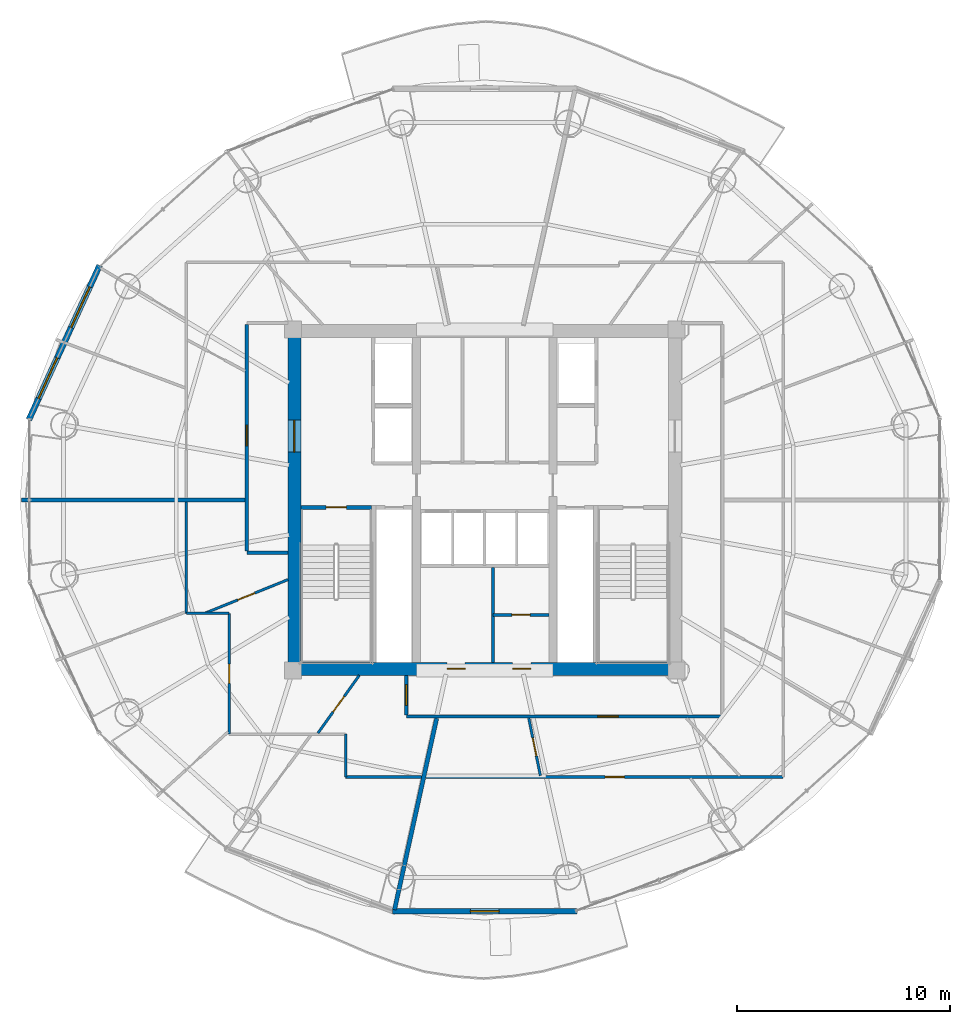
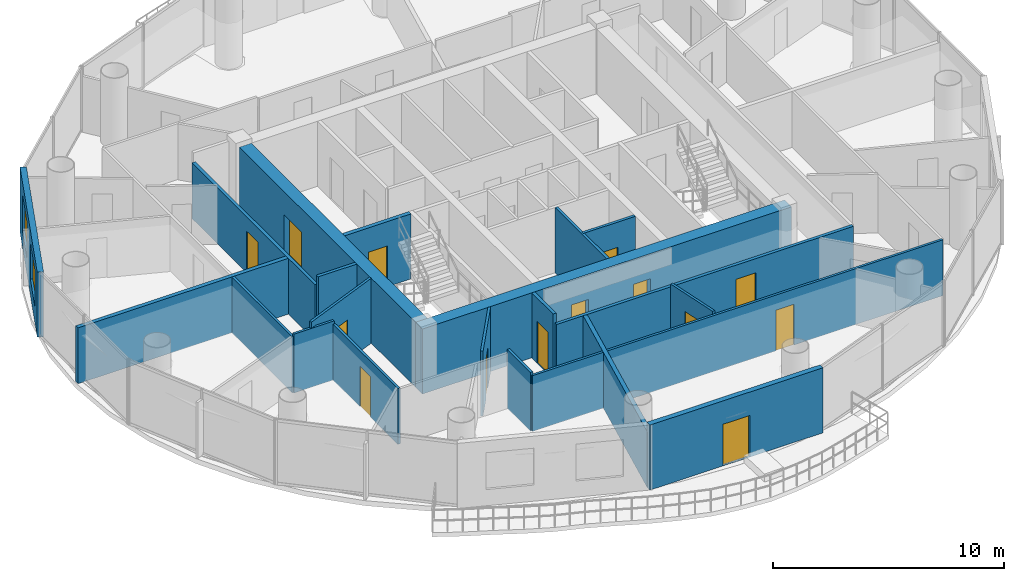
# One storey, part 20 of 26: 22 walls, 14 doors, 2 windows, 16 openings.
"""IFC4 building model written with IfcOpenShell, lengths in metres."""

from ifc_helpers import new_model, si_unit, direction, frame, frame_2d, origin, place, context, subcontext, project, spatial, rectangle, extrude, source, transform, mapped, material, layer, layer_set, type_object, element, fill, save


model = new_model("IFC4")

# Units and contexts
model_context = context("Model", 3, precision=1e-05, world=origin(), true_north=direction((-0.2419218956, 0.970295726276)))
body_context = subcontext(model_context, "Body", "Model", "MODEL_VIEW")
ifc_project = project(units=[si_unit("LENGTHUNIT", "METRE"), si_unit("AREAUNIT", "SQUARE_METRE"), si_unit("VOLUMEUNIT", "CUBIC_METRE"), si_unit("PLANEANGLEUNIT", "RADIAN"), si_unit("MASSUNIT", "GRAM", prefix="KILO")], contexts=[model_context])

# Site, building, storey
site_placement = place(None, origin())
site = spatial("IfcSite", under=ifc_project, at=site_placement, CompositionType="ELEMENT")
building_placement = place(site_placement, origin())
building = spatial("IfcBuilding", under=site, at=building_placement, Name="Cobrevalo Terracotta Tower", CompositionType="ELEMENT")
storey_placement = place(building_placement, frame((0.0, 0.0, 220.800048828125)))
storey = spatial("IfcBuildingStorey", under=building, at=storey_placement, Name="L58", CompositionType="ELEMENT", Elevation=220.800048828125)

# Wall, openings, doors
ifc_material_1 = material(Name="Concrete C55", Category="concrete")
ifc_layer_1 = layer(ifc_material_1, 0.60009765625)
ifc_layer_set_1 = layer_set([ifc_layer_1], Name="Concrete C55")
wall_type_1 = type_object("IfcWallType", Name="Core shear wall 600 mm Concrete C55", PredefinedType="SHEAR", material=ifc_layer_set_1)
wall_1_placement = place(storey_placement, frame((28.77490234375, 18.875, 0.0), z_axis=(0.0, 0.0, 1.0), x_axis=(1.0, 0.0, 0.0)))
wall_1 = element("IfcWall", 1, at=wall_1_placement, inside=storey, type_object=wall_type_1, Name="L58 south core shear wall", PredefinedType="SHEAR", context=body_context, shape_type="SweptSolid", body=[
    extrude(rectangle(XDim=18.4501953125, YDim=0.60009765625, at=frame_2d((9.22509765625, 0.0))), origin(), (0.0, 0.0, 1.0), 3.43505859375),
])
opening_1_placement = place(wall_1_placement, frame((7.4599609375, 0.0, 0.0)))
opening_1 = element("IfcOpeningElement", 2, at=opening_1_placement, cuts=wall_1, Name="Opening ID-22", PredefinedType="OPENING", context=body_context, shape_type="SweptSolid", body=[
    extrude(rectangle(XDim=0.85009765625, YDim=2.10009765625, at=frame_2d((0.425048828125, 1.050048828125))), frame((0.0, 0.31005859375, 0.0), z_axis=(0.0, -1.0, 0.0), x_axis=(1.0, 0.0, 0.0)), (0.0, 0.0, 1.0), 0.6201171875),
])
opening_2_placement = place(wall_1_placement, frame((10.5400390625, 0.0, 0.0)))
opening_2 = element("IfcOpeningElement", 3, at=opening_2_placement, cuts=wall_1, Name="Opening ID-22", PredefinedType="OPENING", context=body_context, shape_type="SweptSolid", body=[
    extrude(rectangle(XDim=0.85009765625, YDim=2.10009765625, at=frame_2d((0.425048828125, 1.050048828125))), frame((0.0, 0.31005859375, 0.0), z_axis=(0.0, -1.0, 0.0), x_axis=(1.0, 0.0, 0.0)), (0.0, 0.0, 1.0), 0.6201171875),
])
ifc_material_2 = material(Name="Powder-coated steel", Category="steel")
door_type_1 = type_object("IfcDoorType", Name="Riser shaft & meter closet fire access door 850x2100 EI 60", OperationType="NOTDEFINED", PredefinedType="DOOR", material=ifc_material_2)
shared_shape_1 = source(origin(), body_context, "Body", "SweptSolid", [
    extrude(rectangle(XDim=0.85009765625, YDim=2.10009765625, at=frame_2d((0.425048828125, 1.050048828125))), frame((0.0, 0.02490234375, 0.0), z_axis=(0.0, -1.0, 0.0), x_axis=(1.0, 0.0, 0.0)), (0.0, 0.0, 1.0), 0.050048828125),
])
door_1_placement = place(opening_1_placement, origin())
door_1 = element("IfcDoor", 4, at=door_1_placement, inside=storey, type_object=door_type_1, Name="L58 core south plant door Floor AHU Mechanical Plant", OperationType="SINGLE_SWING_RIGHT", OverallHeight=2.10009765625, OverallWidth=0.85009765625, PredefinedType="DOOR", context=body_context, shape_type="MappedRepresentation", body=[
    mapped(shared_shape_1, transform((0.0, 0.0, 0.0), scale=1.0)),
])
fill(opening_1, door_1)
door_2_placement = place(opening_2_placement, origin())
door_2 = element("IfcDoor", 5, at=door_2_placement, inside=storey, type_object=door_type_1, Name="L58 core south plant door Sprinkler Valve Plant", OperationType="SINGLE_SWING_RIGHT", OverallHeight=2.10009765625, OverallWidth=0.85009765625, PredefinedType="DOOR", context=body_context, shape_type="MappedRepresentation", body=[
    mapped(shared_shape_1, transform((0.0, 0.0, 0.0), scale=1.0)),
])
fill(opening_2, door_2)

# Wall, opening, door
wall_2_placement = place(storey_placement, frame((29.074951171875, 19.175048828125, 0.0), z_axis=(0.0, 0.0, 1.0), x_axis=(0.0, 1.0, 0.0)))
wall_2 = element("IfcWall", 6, at=wall_2_placement, inside=storey, type_object=wall_type_1, Name="L58 west core shear wall", PredefinedType="SHEAR", context=body_context, shape_type="SweptSolid", body=[
    extrude(rectangle(XDim=15.25, YDim=0.60009765625, at=frame_2d((7.625, 0.0))), origin(), (0.0, 0.0, 1.0), 3.43505859375),
])
opening_3_placement = place(wall_2_placement, frame((9.875, 0.0, 0.0)))
opening_3 = element("IfcOpeningElement", 7, at=opening_3_placement, cuts=wall_2, Name="Opening ID-14", PredefinedType="OPENING", context=body_context, shape_type="SweptSolid", body=[
    extrude(rectangle(XDim=1.5, YDim=2.199951171875, at=frame_2d((0.75, 1.10009765625))), frame((0.0, 0.31005859375, 0.0), z_axis=(0.0, -1.0, 0.0), x_axis=(1.0, 0.0, 0.0)), (0.0, 0.0, 1.0), 0.6201171875),
])
ifc_material_3 = material(Name="Galvanized fire-rated steel", Category="steel")
door_type_2 = type_object("IfcDoorType", Name="Core cross-lobby double fire door 1500x2200 EI 90", OperationType="NOTDEFINED", PredefinedType="DOOR", material=ifc_material_3)
shared_shape_2 = source(origin(), body_context, "Body", "SweptSolid", [
    extrude(rectangle(XDim=1.5, YDim=2.199951171875, at=frame_2d((0.75, 1.10009765625))), frame((0.0, 0.02490234375, 0.0), z_axis=(0.0, -1.0, 0.0), x_axis=(1.0, 0.0, 0.0)), (0.0, 0.0, 1.0), 0.050048828125),
])
door_3_placement = place(opening_3_placement, origin())
door_3 = element("IfcDoor", 8, at=door_3_placement, inside=storey, type_object=door_type_2, Name="L58 west firefighting lobby entrance door", OperationType="DOUBLE_DOOR_SINGLE_SWING", OverallHeight=2.199951171875, OverallWidth=1.5, PredefinedType="DOOR", context=body_context, shape_type="MappedRepresentation", body=[
    mapped(shared_shape_2, transform((0.0, 0.0, 0.0), scale=1.0)),
])
fill(opening_3, door_3)

ifc_material_4 = material(Name="Gypsum board on steel stud", Category="steel")
ifc_layer_2 = layer(ifc_material_4, 0.159912109375)
ifc_layer_set_2 = layer_set([ifc_layer_2], Name="Gypsum board on steel stud")
wall_type_2 = type_object("IfcWallType", Name="Fire-rated corridor acoustic partition wall 160 mm", PredefinedType="PARTITIONING", material=ifc_layer_set_2)
wall_3_placement = place(storey_placement, frame((26.844970703125, 24.39990234375, 0.0), z_axis=(0.0, 0.0, 1.0), x_axis=(0.0, 1.0, 0.0)))
wall_3 = element("IfcWall", 9, at=wall_3_placement, inside=storey, type_object=wall_type_2, Name="L58 interior partition IW-L58-COR-W", PredefinedType="PARTITIONING", context=body_context, shape_type="SweptSolid", body=[
    extrude(rectangle(XDim=10.625, YDim=0.159912109375, at=frame_2d((5.3125, 0.0))), origin(), (0.0, 0.0, 1.0), 2.950927734375),
])
opening_4_placement = place(wall_3_placement, frame((4.93603515625, 0.0, 0.0)))
opening_4 = element("IfcOpeningElement", 10, at=opening_4_placement, cuts=wall_3, Name="Opening ID-05", PredefinedType="OPENING", context=body_context, shape_type="SweptSolid", body=[
    extrude(rectangle(XDim=0.97998046875, YDim=2.199951171875, at=frame_2d((0.489990234375, 1.10009765625))), frame((0.0, 0.08984375, 0.0), z_axis=(0.0, -1.0, 0.0), x_axis=(1.0, 0.0, 0.0)), (0.0, 0.0, 1.0), 0.179931640625),
])
ifc_material_5 = material(Name="Solid hardwood timber", Category="wood")
door_type_3 = type_object("IfcDoorType", Name="Residence entrance fire-rated acoustic timber door 980x2200 EI 60", OperationType="NOTDEFINED", PredefinedType="DOOR", material=ifc_material_5)
shared_shape_3 = source(origin(), body_context, "Body", "SweptSolid", [
    extrude(rectangle(XDim=0.97998046875, YDim=2.199951171875, at=frame_2d((0.489990234375, 1.10009765625))), frame((0.0, 0.02490234375, 0.0), z_axis=(0.0, -1.0, 0.0), x_axis=(1.0, 0.0, 0.0)), (0.0, 0.0, 1.0), 0.050048828125),
])
door_4_placement = place(opening_4_placement, origin())
door_4 = element("IfcDoor", 11, at=door_4_placement, inside=storey, type_object=door_type_3, Name="Flat L58B fire-rated apartment entrance door", OperationType="SINGLE_SWING_LEFT", OverallHeight=2.199951171875, OverallWidth=0.97998046875, PredefinedType="DOOR", context=body_context, shape_type="MappedRepresentation", body=[
    mapped(shared_shape_3, transform((0.0, 0.0, 0.0), scale=1.0)),
])
fill(opening_4, door_4)

# Wall
wall_4_placement = place(storey_placement, frame((26.844970703125, 24.320068359375, 0.0), z_axis=(0.0, 0.0, 1.0), x_axis=(1.0, 0.0, 0.0)))
element("IfcWall", 12, at=wall_4_placement, inside=storey, type_object=wall_type_2, Name="L58 interior partition IW-L58-COR-WS-CAP", PredefinedType="PARTITIONING", context=body_context, shape_type="SweptSolid", body=[
    extrude(rectangle(XDim=1.929931640625, YDim=0.159912109375, at=frame_2d((0.96484375, 0.0))), origin(), (0.0, 0.0, 1.0), 3.43505859375),
])

# Wall, opening, door
wall_5_placement = place(storey_placement, frame((34.320068359375, 16.64501953125, 0.0), z_axis=(0.0, 0.0, 1.0), x_axis=(1.0, 0.0, 0.0)))
wall_5 = element("IfcWall", 13, at=wall_5_placement, inside=storey, type_object=wall_type_2, Name="L58 interior partition IW-L58-COR-S", PredefinedType="PARTITIONING", context=body_context, shape_type="SweptSolid", body=[
    extrude(rectangle(XDim=14.8349609375, YDim=0.159912109375, at=frame_2d((7.41748046875, 0.0))), origin(), (0.0, 0.0, 1.0), 2.950927734375),
])
opening_5_placement = place(wall_5_placement, frame((8.972900390625, 0.0, 0.0)))
opening_5 = element("IfcOpeningElement", 14, at=opening_5_placement, cuts=wall_5, Name="Opening ID-05", PredefinedType="OPENING", context=body_context, shape_type="SweptSolid", body=[
    extrude(rectangle(XDim=0.97998046875, YDim=2.199951171875, at=frame_2d((0.489990234375, 1.10009765625))), frame((0.0, 0.08984375, 0.0), z_axis=(0.0, -1.0, 0.0), x_axis=(1.0, 0.0, 0.0)), (0.0, 0.0, 1.0), 0.179931640625),
])
door_5_placement = place(opening_5_placement, frame((0.97998046875, 0.0, 0.0), z_axis=(0.0, 0.0, 1.0), x_axis=(-1.0, 0.0, 0.0)))
door_5 = element("IfcDoor", 15, at=door_5_placement, inside=storey, type_object=door_type_3, Name="Flat L58D fire-rated apartment entrance door", OperationType="SINGLE_SWING_RIGHT", OverallHeight=2.199951171875, OverallWidth=0.97998046875, PredefinedType="DOOR", context=body_context, shape_type="MappedRepresentation", body=[
    mapped(shared_shape_3, transform((0.0, 0.0, 0.0), scale=1.0)),
])
fill(opening_5, door_5)

wall_6_placement = place(storey_placement, frame((34.320068359375, 16.72509765625, 0.0), z_axis=(0.0, 0.0, 1.0), x_axis=(0.0, 1.0, 0.0)))
wall_6 = element("IfcWall", 16, at=wall_6_placement, inside=storey, type_object=wall_type_2, Name="L58 interior partition IW-L58-COR-SW-CAP", PredefinedType="PARTITIONING", context=body_context, shape_type="SweptSolid", body=[
    extrude(rectangle(XDim=1.849853515625, YDim=0.159912109375, at=frame_2d((0.9248046875, 0.0))), origin(), (0.0, 0.0, 1.0), 3.43505859375),
])
opening_6_placement = place(wall_6_placement, frame((0.43505859375, 0.0, 0.0)))
opening_6 = element("IfcOpeningElement", 17, at=opening_6_placement, cuts=wall_6, Name="Opening ID-05", PredefinedType="OPENING", context=body_context, shape_type="SweptSolid", body=[
    extrude(rectangle(XDim=0.97998046875, YDim=2.199951171875, at=frame_2d((0.489990234375, 1.10009765625))), frame((0.0, 0.08984375, 0.0), z_axis=(0.0, -1.0, 0.0), x_axis=(1.0, 0.0, 0.0)), (0.0, 0.0, 1.0), 0.179931640625),
])
door_6_placement = place(opening_6_placement, origin())
door_6 = element("IfcDoor", 18, at=door_6_placement, inside=storey, type_object=door_type_3, Name="Flat L58C fire-rated apartment entrance door", OperationType="SINGLE_SWING_LEFT", OverallHeight=2.199951171875, OverallWidth=0.97998046875, PredefinedType="DOOR", context=body_context, shape_type="MappedRepresentation", body=[
    mapped(shared_shape_3, transform((0.0, 0.0, 0.0), scale=1.0)),
])
fill(opening_6, door_6)

# Walls
ifc_material_6 = material(Name="Autoclaved aerated concrete block", Category="concrete")
ifc_layer_3 = layer(ifc_material_6, 0.199951171875)
ifc_layer_set_3 = layer_set([ifc_layer_3], Name="Autoclaved aerated concrete block")
wall_type_3 = type_object("IfcWallType", Name="Fire-rated stair, shaft & demising masonry wall 200 mm", PredefinedType="PARTITIONING", material=ifc_layer_set_3)
wall_7_placement = place(storey_placement, frame((26.764892578125, 26.800048828125, 0.0), z_axis=(0.0, 0.0, 1.0), x_axis=(-1.0, 0.0, 0.0)))
element("IfcWall", 19, at=wall_7_placement, inside=storey, type_object=wall_type_3, Name="L58 interior partition IW-L58-DEM-3", PredefinedType="PARTITIONING", context=body_context, shape_type="SweptSolid", body=[
    extrude(rectangle(XDim=10.5048828125, YDim=0.199951171875, at=frame_2d((5.25244140625, 0.0))), origin(), (0.0, 0.0, 1.0), 2.950927734375),
])
wall_8_placement = place(storey_placement, frame((35.7470703125, 16.56494140625, 0.0), z_axis=(0.0, 0.0, 1.0), x_axis=(-0.214957946814, -0.976623305631, 0.0)))
element("IfcWall", 20, at=wall_8_placement, inside=storey, type_object=wall_type_3, Name="L58 interior partition IW-L58-DEM-4", PredefinedType="PARTITIONING", context=body_context, shape_type="SweptSolid", body=[
    extrude(rectangle(XDim=9.201904296875, YDim=0.199951171875, at=frame_2d((4.60107421875, 0.0))), origin(), (0.0, 0.0, 1.0), 2.950927734375),
])

# Wall, openings, windows
ifc_layer_4 = layer(ifc_material_6, 0.280029296875)
ifc_layer_set_4 = layer_set([ifc_layer_4], Name="Autoclaved aerated concrete block")
wall_type_4 = type_object("IfcWallType", Name="Insulated tower spandrel & pier wall 280 mm with terracotta rainscreen", PredefinedType="SOLIDWALL", material=ifc_layer_set_4)
wall_9_placement = place(storey_placement, frame((19.93212890625, 37.80078125, 0.0), z_axis=(0.0, 0.0, 1.0), x_axis=(-0.416717018135, -0.909036262641, 0.0)))
wall_9 = element("IfcWall", 21, at=wall_9_placement, inside=storey, type_object=wall_type_4, Name="L58 terracotta rainscreen pier wall S07", PredefinedType="SOLIDWALL", context=body_context, shape_type="SweptSolid", body=[
    extrude(rectangle(XDim=7.960205078125, YDim=0.280029296875, at=frame_2d((3.97998046875, 0.0))), origin(), (0.0, 0.0, 1.0), 3.43505859375),
])
opening_7_placement = place(wall_9_placement, frame((1.099365234375, 0.0, 0.85009765625)))
opening_7 = element("IfcOpeningElement", 22, at=opening_7_placement, cuts=wall_9, Name="Opening WN-10", PredefinedType="OPENING", context=body_context, shape_type="SweptSolid", body=[
    extrude(rectangle(XDim=2.10009765625, YDim=1.949951171875, at=frame_2d((1.050048828125, 0.97509765625))), frame((0.0, 0.14990234375, 0.0), z_axis=(0.0, -1.0, 0.0), x_axis=(1.0, 0.0, 0.0)), (0.0, 0.0, 1.0), 0.300048828125),
])
opening_8_placement = place(wall_9_placement, frame((4.760986328125, 0.0, 0.85009765625)))
opening_8 = element("IfcOpeningElement", 23, at=opening_8_placement, cuts=wall_9, Name="Opening WN-10", PredefinedType="OPENING", context=body_context, shape_type="SweptSolid", body=[
    extrude(rectangle(XDim=2.10009765625, YDim=1.949951171875, at=frame_2d((1.050048828125, 0.97509765625))), frame((0.0, 0.14990234375, 0.0), z_axis=(0.0, -1.0, 0.0), x_axis=(1.0, 0.0, 0.0)), (0.0, 0.0, 1.0), 0.300048828125),
])
ifc_material_7 = material(Name="Solar-control low-E double glazing", Category="glass")
window_type = type_object("IfcWindowType", Name="Wide panoramic low-E aluminium window 2100x1950", PartitioningType="SINGLE_PANEL", PredefinedType="WINDOW", material=ifc_material_7)
shared_shape_4 = source(origin(), body_context, "Body", "SweptSolid", [
    extrude(rectangle(XDim=2.10009765625, YDim=1.949951171875, at=frame_2d((1.050048828125, 0.97509765625))), frame((0.0, 0.030029296875, 0.0), z_axis=(0.0, -1.0, 0.0), x_axis=(1.0, 0.0, 0.0)), (0.0, 0.0, 1.0), 0.06005859375),
])
window_1_placement = place(opening_7_placement, origin())
window_1 = element("IfcWindow", 24, at=window_1_placement, inside=storey, type_object=window_type, Name="L58 suite window S07A", OverallHeight=1.949951171875, OverallWidth=2.10009765625, PartitioningType="SINGLE_PANEL", PredefinedType="WINDOW", context=body_context, shape_type="MappedRepresentation", body=[
    mapped(shared_shape_4, transform((0.0, 0.0, 0.0), scale=1.0)),
])
fill(opening_7, window_1)
window_2_placement = place(opening_8_placement, origin())
window_2 = element("IfcWindow", 25, at=window_2_placement, inside=storey, type_object=window_type, Name="L58 suite window S07B", OverallHeight=1.949951171875, OverallWidth=2.10009765625, PartitioningType="SINGLE_PANEL", PredefinedType="WINDOW", context=body_context, shape_type="MappedRepresentation", body=[
    mapped(shared_shape_4, transform((0.0, 0.0, 0.0), scale=1.0)),
])
fill(opening_8, window_2)

# Wall
ifc_layer_5 = layer(ifc_material_6, 0.139892578125)
ifc_layer_set_5 = layer_set([ifc_layer_5], Name="Autoclaved aerated concrete block")
wall_type_5 = type_object("IfcWallType", Name="Moisture-resistant wet-room & core service partition 140 mm", PredefinedType="PARTITIONING", material=ifc_layer_set_5)
wall_10_placement = place(storey_placement, frame((38.39990234375, 19.175048828125, 0.0), z_axis=(0.0, 0.0, 1.0), x_axis=(0.0, 1.0, 0.0)))
element("IfcWall", 26, at=wall_10_placement, inside=storey, type_object=wall_type_5, Name="L58 interior partition IW-L58-KVS-L1", PredefinedType="PARTITIONING", context=body_context, shape_type="SweptSolid", body=[
    extrude(rectangle(XDim=4.46484375, YDim=0.139892578125, at=frame_2d((2.232421875, 0.0))), origin(), (0.0, 0.0, 1.0), 3.43505859375),
])

# Wall, opening, door
wall_11_placement = place(storey_placement, frame((38.39990234375, 21.407470703125, 0.0), z_axis=(0.0, 0.0, 1.0), x_axis=(1.0, 0.0, 0.0)))
wall_11 = element("IfcWall", 27, at=wall_11_placement, inside=storey, type_object=wall_type_5, Name="L58 interior partition IW-L58-KVS-L2", PredefinedType="PARTITIONING", context=body_context, shape_type="SweptSolid", body=[
    extrude(rectangle(XDim=2.610107421875, YDim=0.139892578125, at=frame_2d((1.30517578125, 0.0))), origin(), (0.0, 0.0, 1.0), 3.43505859375),
])
opening_9_placement = place(wall_11_placement, frame((0.8798828125, 0.0, 0.0)))
opening_9 = element("IfcOpeningElement", 28, at=opening_9_placement, cuts=wall_11, Name="Opening ID-22", PredefinedType="OPENING", context=body_context, shape_type="SweptSolid", body=[
    extrude(rectangle(XDim=0.85009765625, YDim=2.10009765625, at=frame_2d((0.425048828125, 1.050048828125))), frame((0.0, 0.080078125, 0.0), z_axis=(0.0, -1.0, 0.0), x_axis=(1.0, 0.0, 0.0)), (0.0, 0.0, 1.0), 0.159912109375),
])
door_7_placement = place(opening_9_placement, origin())
door_7 = element("IfcDoor", 29, at=door_7_placement, inside=storey, type_object=door_type_1, Name="L58 core KVS-L2 inner door", OperationType="SINGLE_SWING_LEFT", OverallHeight=2.10009765625, OverallWidth=0.85009765625, PredefinedType="DOOR", context=body_context, shape_type="MappedRepresentation", body=[
    mapped(shared_shape_1, transform((0.0, 0.0, 0.0), scale=1.0)),
])
fill(opening_9, door_7)

ifc_layer_6 = layer(ifc_material_6, 0.260009765625)
ifc_layer_set_6 = layer_set([ifc_layer_6], Name="Autoclaved aerated concrete block")
wall_type_6 = type_object("IfcWallType", Name="Recessed balcony loggia insulated exterior wall 260 mm", PredefinedType="SOLIDWALL", material=ifc_layer_set_6)
wall_12_placement = place(storey_placement, frame((33.6728515625, 7.508056640625, 0.0), z_axis=(0.0, 0.0, 1.0), x_axis=(1.0, 0.0, 0.0)))
wall_12 = element("IfcWall", 30, at=wall_12_placement, inside=storey, type_object=wall_type_6, Name="L58 balcony loggia wall S12", PredefinedType="SOLIDWALL", context=body_context, shape_type="SweptSolid", body=[
    extrude(rectangle(XDim=8.654296875, YDim=0.260009765625, at=frame_2d((4.3271484375, 0.0))), origin(), (0.0, 0.0, 1.0), 3.43505859375),
])
opening_10_placement = place(wall_12_placement, frame((3.652099609375, 0.0, 0.0)))
opening_10 = element("IfcOpeningElement", 31, at=opening_10_placement, cuts=wall_12, Name="Opening ED-05", PredefinedType="OPENING", context=body_context, shape_type="SweptSolid", body=[
    extrude(rectangle(XDim=1.35009765625, YDim=2.199951171875, at=frame_2d((0.675048828125, 1.10009765625))), frame((0.0, 0.14013671875, 0.0), z_axis=(0.0, -1.0, 0.0), x_axis=(1.0, 0.0, 0.0)), (0.0, 0.0, 1.0), 0.280029296875),
])
ifc_material_8 = material(Name="Anodized aluminium and laminated glass", Category="aluminium")
door_type_4 = type_object("IfcDoorType", Name="Suite balcony acoustic glazed terrace door 1350x2200", OperationType="NOTDEFINED", PredefinedType="DOOR", material=ifc_material_8)
shared_shape_5 = source(origin(), body_context, "Body", "SweptSolid", [
    extrude(rectangle(XDim=1.35009765625, YDim=2.199951171875, at=frame_2d((0.675048828125, 1.10009765625))), frame((0.0, 0.02490234375, 0.0), z_axis=(0.0, -1.0, 0.0), x_axis=(1.0, 0.0, 0.0)), (0.0, 0.0, 1.0), 0.050048828125),
])
door_8_placement = place(opening_10_placement, frame((1.35009765625, 0.0, 0.0), z_axis=(0.0, 0.0, 1.0), x_axis=(-1.0, 0.0, 0.0)))
door_8 = element("IfcDoor", 32, at=door_8_placement, inside=storey, type_object=door_type_4, Name="L58 glazed balcony terrace door 2", OperationType="SINGLE_SWING_RIGHT", OverallHeight=2.199951171875, OverallWidth=1.35009765625, PredefinedType="DOOR", context=body_context, shape_type="MappedRepresentation", body=[
    mapped(shared_shape_5, transform((0.0, 0.0, 0.0), scale=1.0)),
])
fill(opening_10, door_8)

# Walls
ifc_layer_7 = layer(ifc_material_4, 0.1201171875)
ifc_layer_set_7 = layer_set([ifc_layer_7], Name="Gypsum board on steel stud")
wall_type_7 = type_object("IfcWallType", Name="Residential internal acoustic stud partition 120 mm", PredefinedType="PARTITIONING", material=ifc_layer_set_7)
wall_13_placement = place(storey_placement, frame((35.03759765625, 13.804931640625, 0.0), z_axis=(0.0, 0.0, 1.0), x_axis=(-1.0, 0.0, 0.0)))
element("IfcWall", 33, at=wall_13_placement, inside=storey, type_object=wall_type_7, Name="L58 interior partition IW-L58-U3-RING0_0", PredefinedType="PARTITIONING", context=body_context, shape_type="SweptSolid", body=[
    extrude(rectangle(XDim=3.5576171875, YDim=0.1201171875, at=frame_2d((1.77880859375, 0.0))), origin(), (0.0, 0.0, 1.0), 2.950927734375),
])
wall_14_placement = place(storey_placement, frame((31.47998046875, 13.804931640625, 0.0), z_axis=(0.0, 0.0, 1.0), x_axis=(0.0, 1.0, 0.0)))
element("IfcWall", 34, at=wall_14_placement, inside=storey, type_object=wall_type_7, Name="L58 interior partition IW-L58-U3-RING1_0", PredefinedType="PARTITIONING", context=body_context, shape_type="SweptSolid", body=[
    extrude(rectangle(XDim=2.010009765625, YDim=0.1201171875, at=frame_2d((1.0048828125, 0.0))), origin(), (0.0, 0.0, 1.0), 3.10986328125),
])

# Wall, opening, door
wall_15_placement = place(storey_placement, frame((26.014892578125, 15.81494140625, 0.0), z_axis=(0.0, 0.0, 1.0), x_axis=(0.0, 1.0, 0.0)))
wall_15 = element("IfcWall", 35, at=wall_15_placement, inside=storey, type_object=wall_type_7, Name="L58 interior partition IW-L58-U3-RING3_0", PredefinedType="PARTITIONING", context=body_context, shape_type="SweptSolid", body=[
    extrude(rectangle(XDim=5.6650390625, YDim=0.1201171875, at=frame_2d((2.83251953125, 0.0))), origin(), (0.0, 0.0, 1.0), 2.950927734375),
])
opening_11_placement = place(wall_15_placement, frame((2.382568359375, 0.0, 0.0)))
opening_11 = element("IfcOpeningElement", 36, at=opening_11_placement, cuts=wall_15, Name="Opening ID-12", PredefinedType="OPENING", context=body_context, shape_type="SweptSolid", body=[
    extrude(rectangle(XDim=0.89990234375, YDim=2.14990234375, at=frame_2d((0.449951171875, 1.074951171875))), frame((0.0, 0.070068359375, 0.0), z_axis=(0.0, -1.0, 0.0), x_axis=(1.0, 0.0, 0.0)), (0.0, 0.0, 1.0), 0.14013671875),
])
ifc_material_9 = material(Name="Engineered timber", Category="wood")
door_type_5 = type_object("IfcDoorType", Name="Internal residence & suite timber door 900x2150", OperationType="NOTDEFINED", PredefinedType="DOOR", material=ifc_material_9)
shared_shape_6 = source(origin(), body_context, "Body", "SweptSolid", [
    extrude(rectangle(XDim=0.89990234375, YDim=2.14990234375, at=frame_2d((0.449951171875, 1.074951171875))), frame((0.0, 0.02490234375, 0.0), z_axis=(0.0, -1.0, 0.0), x_axis=(1.0, 0.0, 0.0)), (0.0, 0.0, 1.0), 0.050048828125),
])
door_9_placement = place(opening_11_placement, origin())
door_9 = element("IfcDoor", 37, at=door_9_placement, inside=storey, type_object=door_type_5, Name="Flat L58C Master Bedroom internal door", OperationType="SINGLE_SWING_LEFT", OverallHeight=2.14990234375, OverallWidth=0.89990234375, PredefinedType="DOOR", context=body_context, shape_type="MappedRepresentation", body=[
    mapped(shared_shape_6, transform((0.0, 0.0, 0.0), scale=1.0)),
])
fill(opening_11, door_9)

# Walls
wall_16_placement = place(storey_placement, frame((26.014892578125, 21.47998046875, 0.0), z_axis=(0.0, 0.0, 1.0), x_axis=(-1.0, 0.0, 0.0)))
element("IfcWall", 38, at=wall_16_placement, inside=storey, type_object=wall_type_7, Name="L58 interior partition IW-L58-U3-RING4_0", PredefinedType="PARTITIONING", context=body_context, shape_type="SweptSolid", body=[
    extrude(rectangle(XDim=2.010009765625, YDim=0.1201171875, at=frame_2d((1.0048828125, 0.0))), origin(), (0.0, 0.0, 1.0), 3.10986328125),
])
wall_17_placement = place(storey_placement, frame((24.0048828125, 21.47998046875, 0.0), z_axis=(0.0, 0.0, 1.0), x_axis=(0.0, 1.0, 0.0)))
element("IfcWall", 39, at=wall_17_placement, inside=storey, type_object=wall_type_7, Name="L58 interior partition IW-L58-U3-RING5_0", PredefinedType="PARTITIONING", context=body_context, shape_type="SweptSolid", body=[
    extrude(rectangle(XDim=5.218017578125, YDim=0.1201171875, at=frame_2d((2.60888671875, 0.0))), origin(), (0.0, 0.0, 1.0), 2.950927734375),
])

# Wall, opening, door
wall_18_placement = place(storey_placement, frame((28.77490234375, 23.066650390625, 0.0), z_axis=(0.0, 0.0, 1.0), x_axis=(-0.926976443277, -0.375119545757, 0.0)))
wall_18 = element("IfcWall", 40, at=wall_18_placement, inside=storey, type_object=wall_type_7, Name="L58 interior partition IW-L58-U3-IRAD1", PredefinedType="PARTITIONING", context=body_context, shape_type="SweptSolid", body=[
    extrude(rectangle(XDim=4.229736328125, YDim=0.1201171875, at=frame_2d((2.11474609375, 0.0))), origin(), (0.0, 0.0, 1.0), 3.43505859375),
])
opening_12_placement = place(wall_18_placement, frame((1.684814453125, 0.0, 0.0)))
opening_12 = element("IfcOpeningElement", 41, at=opening_12_placement, cuts=wall_18, Name="Opening ID-19", PredefinedType="OPENING", context=body_context, shape_type="SweptSolid", body=[
    extrude(rectangle(XDim=0.860107421875, YDim=2.14990234375, at=frame_2d((0.43017578125, 1.074951171875))), frame((0.0, 0.070068359375, 0.0), z_axis=(0.0, -1.0, 0.0), x_axis=(1.0, 0.0, 0.0)), (0.0, 0.0, 1.0), 0.14013671875),
])
ifc_material_10 = material(Name="Moisture-sealed timber", Category="wood")
door_type_6 = type_object("IfcDoorType", Name="Suite bathroom internal timber door 860x2150", OperationType="NOTDEFINED", PredefinedType="DOOR", material=ifc_material_10)
shared_shape_7 = source(origin(), body_context, "Body", "SweptSolid", [
    extrude(rectangle(XDim=0.860107421875, YDim=2.14990234375, at=frame_2d((0.43017578125, 1.074951171875))), frame((0.0, 0.02490234375, 0.0), z_axis=(0.0, -1.0, 0.0), x_axis=(1.0, 0.0, 0.0)), (0.0, 0.0, 1.0), 0.050048828125),
])
door_10_placement = place(opening_12_placement, frame((0.860107421875, 0.0, 0.0), z_axis=(0.0, 0.0, 1.0), x_axis=(-1.0, 0.0, 0.0)))
door_10 = element("IfcDoor", 42, at=door_10_placement, inside=storey, type_object=door_type_6, Name="Flat L58C Primary Bathroom internal door", OperationType="SINGLE_SWING_RIGHT", OverallHeight=2.14990234375, OverallWidth=0.860107421875, PredefinedType="DOOR", context=body_context, shape_type="MappedRepresentation", body=[
    mapped(shared_shape_7, transform((0.0, 0.0, 0.0), scale=1.0)),
])
fill(opening_12, door_10)

wall_19_placement = place(storey_placement, frame((32.11669921875, 18.574951171875, 0.0), z_axis=(0.0, 0.0, 1.0), x_axis=(-0.581813438478, -0.813322274874, 0.0)))
wall_19 = element("IfcWall", 43, at=wall_19_placement, inside=storey, type_object=wall_type_7, Name="L58 interior partition IW-L58-U3-IRAD2", PredefinedType="PARTITIONING", context=body_context, shape_type="SweptSolid", body=[
    extrude(rectangle(XDim=3.331298828125, YDim=0.1201171875, at=frame_2d((1.66552734375, 0.0))), origin(), (0.0, 0.0, 1.0), 3.43505859375),
])
opening_13_placement = place(wall_19_placement, frame((1.2158203125, 0.0, 0.0)))
opening_13 = element("IfcOpeningElement", 44, at=opening_13_placement, cuts=wall_19, Name="Opening ID-12", PredefinedType="OPENING", context=body_context, shape_type="SweptSolid", body=[
    extrude(rectangle(XDim=0.89990234375, YDim=2.14990234375, at=frame_2d((0.449951171875, 1.074951171875))), frame((0.0, 0.070068359375, 0.0), z_axis=(0.0, -1.0, 0.0), x_axis=(1.0, 0.0, 0.0)), (0.0, 0.0, 1.0), 0.14013671875),
])
door_11_placement = place(opening_13_placement, frame((0.89990234375, 0.0, 0.0), z_axis=(0.0, 0.0, 1.0), x_axis=(-1.0, 0.0, 0.0)))
door_11 = element("IfcDoor", 45, at=door_11_placement, inside=storey, type_object=door_type_5, Name="Flat L58C Reception Hallway internal door", OperationType="SINGLE_SWING_RIGHT", OverallHeight=2.14990234375, OverallWidth=0.89990234375, PredefinedType="DOOR", context=body_context, shape_type="MappedRepresentation", body=[
    mapped(shared_shape_6, transform((0.0, 0.0, 0.0), scale=1.0)),
])
fill(opening_13, door_11)

wall_20_placement = place(storey_placement, frame((51.9951171875, 13.804931640625, 0.0), z_axis=(0.0, 0.0, 1.0), x_axis=(-1.0, 0.0, 0.0)))
wall_20 = element("IfcWall", 46, at=wall_20_placement, inside=storey, type_object=wall_type_7, Name="L58 interior partition IW-L58-U4-RING1_0", PredefinedType="PARTITIONING", context=body_context, shape_type="SweptSolid", body=[
    extrude(rectangle(XDim=16.75341796875, YDim=0.1201171875, at=frame_2d((8.376708984375, 0.0))), origin(), (0.0, 0.0, 1.0), 2.950927734375),
])
opening_14_placement = place(wall_20_placement, frame((7.44189453125, 0.0, 0.0)))
opening_14 = element("IfcOpeningElement", 47, at=opening_14_placement, cuts=wall_20, Name="Opening ID-12", PredefinedType="OPENING", context=body_context, shape_type="SweptSolid", body=[
    extrude(rectangle(XDim=0.89990234375, YDim=2.14990234375, at=frame_2d((0.449951171875, 1.074951171875))), frame((0.0, 0.070068359375, 0.0), z_axis=(0.0, -1.0, 0.0), x_axis=(1.0, 0.0, 0.0)), (0.0, 0.0, 1.0), 0.14013671875),
])
door_12_placement = place(opening_14_placement, origin())
door_12 = element("IfcDoor", 48, at=door_12_placement, inside=storey, type_object=door_type_5, Name="Flat L58D Living and Dining Room internal door", OperationType="SINGLE_SWING_RIGHT", OverallHeight=2.14990234375, OverallWidth=0.89990234375, PredefinedType="DOOR", context=body_context, shape_type="MappedRepresentation", body=[
    mapped(shared_shape_6, transform((0.0, 0.0, 0.0), scale=1.0)),
])
fill(opening_14, door_12)

wall_21_placement = place(storey_placement, frame((40.06640625, 16.56494140625, 0.0), z_axis=(0.0, 0.0, 1.0), x_axis=(0.197974199315, -0.980207231358, 0.0)))
wall_21 = element("IfcWall", 49, at=wall_21_placement, inside=storey, type_object=wall_type_7, Name="L58 interior partition IW-L58-U4-IRAD1", PredefinedType="PARTITIONING", context=body_context, shape_type="SweptSolid", body=[
    extrude(rectangle(XDim=2.753662109375, YDim=0.1201171875, at=frame_2d((1.376953125, 0.0))), origin(), (0.0, 0.0, 1.0), 3.10986328125),
])
opening_15_placement = place(wall_21_placement, frame((0.94677734375, 0.0, 0.0)))
opening_15 = element("IfcOpeningElement", 50, at=opening_15_placement, cuts=wall_21, Name="Opening ID-19", PredefinedType="OPENING", context=body_context, shape_type="SweptSolid", body=[
    extrude(rectangle(XDim=0.860107421875, YDim=2.14990234375, at=frame_2d((0.43017578125, 1.074951171875))), frame((0.0, 0.070068359375, 0.0), z_axis=(0.0, -1.0, 0.0), x_axis=(1.0, 0.0, 0.0)), (0.0, 0.0, 1.0), 0.14013671875),
])
door_13_placement = place(opening_15_placement, frame((0.860107421875, 0.0, 0.0), z_axis=(0.0, 0.0, 1.0), x_axis=(-1.0, 0.0, 0.0)))
door_13 = element("IfcDoor", 51, at=door_13_placement, inside=storey, type_object=door_type_6, Name="Flat L58D Primary Bathroom internal door", OperationType="SINGLE_SWING_LEFT", OverallHeight=2.14990234375, OverallWidth=0.860107421875, PredefinedType="DOOR", context=body_context, shape_type="MappedRepresentation", body=[
    mapped(shared_shape_7, transform((0.0, 0.0, 0.0), scale=1.0)),
])
fill(opening_15, door_13)

ifc_material_11 = material(Name="Concrete C50", Category="concrete")
ifc_layer_8 = layer(ifc_material_11, 0.199951171875)
ifc_layer_set_8 = layer_set([ifc_layer_8], Name="Concrete C50")
wall_type_8 = type_object("IfcWallType", Name="Structural core & podium stair-shaft RC wall 200 mm Concrete C50", PredefinedType="SOLIDWALL", material=ifc_layer_set_8)
wall_22_placement = place(storey_placement, frame((29.375, 26.449951171875, 0.0), z_axis=(0.0, 0.0, 1.0), x_axis=(1.0, 0.0, 0.0)))
wall_22 = element("IfcWall", 52, at=wall_22_placement, inside=storey, type_object=wall_type_8, Name="L58 ST-1 north structural shaft wall", PredefinedType="SOLIDWALL", context=body_context, shape_type="SweptSolid", body=[
    extrude(rectangle(XDim=3.320068359375, YDim=0.199951171875, at=frame_2d((1.66015625, 0.0))), origin(), (0.0, 0.0, 1.0), 3.43505859375),
])
opening_16_placement = place(wall_22_placement, frame((1.18505859375, 0.0, 0.0)))
opening_16 = element("IfcOpeningElement", 53, at=opening_16_placement, cuts=wall_22, Name="Opening ID-04", PredefinedType="OPENING", context=body_context, shape_type="SweptSolid", body=[
    extrude(rectangle(XDim=0.949951171875, YDim=2.14990234375, at=frame_2d((0.47509765625, 1.074951171875))), frame((0.0, 0.10986328125, 0.0), z_axis=(0.0, -1.0, 0.0), x_axis=(1.0, 0.0, 0.0)), (0.0, 0.0, 1.0), 0.219970703125),
])
door_type_7 = type_object("IfcDoorType", Name="Stair & firefighting lobby fire door 950x2150 EI 90", OperationType="NOTDEFINED", PredefinedType="DOOR", material=ifc_material_3)
shared_shape_8 = source(origin(), body_context, "Body", "SweptSolid", [
    extrude(rectangle(XDim=0.949951171875, YDim=2.14990234375, at=frame_2d((0.47509765625, 1.074951171875))), frame((0.0, 0.02490234375, 0.0), z_axis=(0.0, -1.0, 0.0), x_axis=(1.0, 0.0, 0.0)), (0.0, 0.0, 1.0), 0.050048828125),
])
door_14_placement = place(opening_16_placement, origin())
door_14 = element("IfcDoor", 54, at=door_14_placement, inside=storey, type_object=door_type_7, Name="L58 protected stair ST1 fire door", OperationType="SINGLE_SWING_LEFT", OverallHeight=2.14990234375, OverallWidth=0.949951171875, PredefinedType="DOOR", context=body_context, shape_type="MappedRepresentation", body=[
    mapped(shared_shape_8, transform((0.0, 0.0, 0.0), scale=1.0)),
])
fill(opening_16, door_14)

save(model, "model.ifc")
